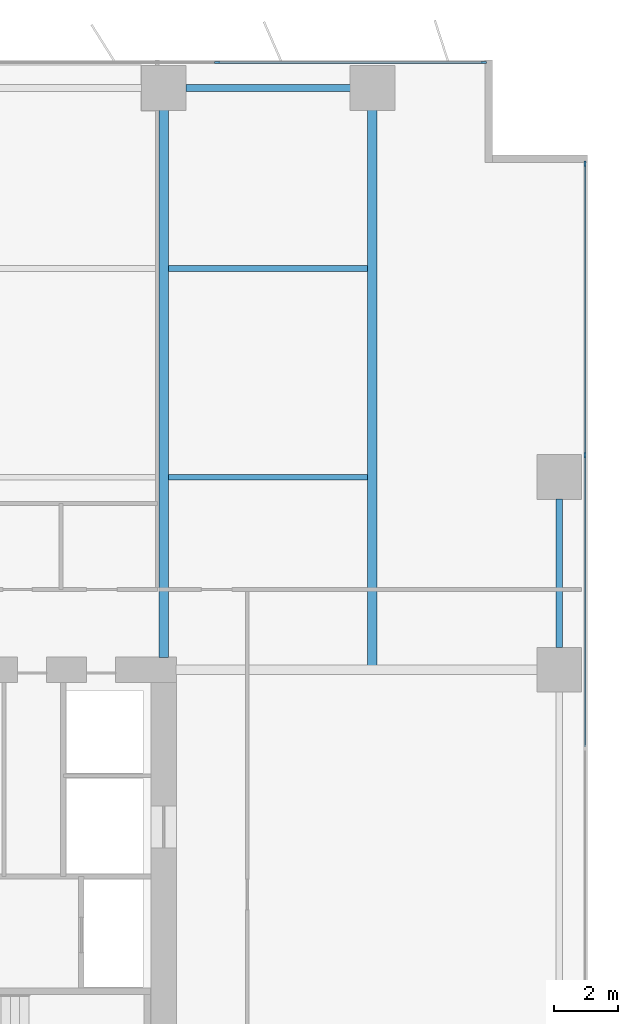
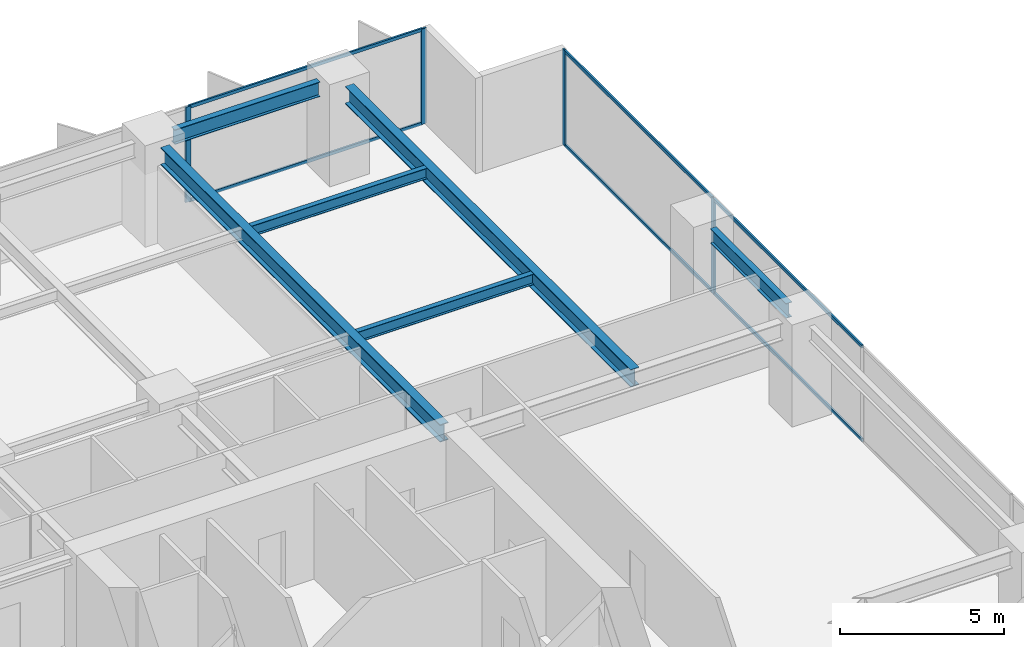
# One storey, part 11 of 20: 10 members, 6 beams, 2 elements without a shape of their own.
"""IFC4 building model written with IfcOpenShell, lengths in metres."""

from ifc_helpers import new_model, si_unit, direction, frame, origin, origin_2d, place, context, subcontext, project, spatial, rectangle, i_section, extrude, material, layer, layer_set, material_profile, profile_set, type_object, element, aggregate, save


model = new_model("IFC4")

# Units and contexts
model_context = context("Model", 3, precision=1e-05, world=origin(), true_north=direction((0.0, 1.0)))
body_context = subcontext(model_context, "Body", "Model", "MODEL_VIEW")
ifc_project = project(units=[si_unit("LENGTHUNIT", "METRE"), si_unit("AREAUNIT", "SQUARE_METRE"), si_unit("VOLUMEUNIT", "CUBIC_METRE"), si_unit("PLANEANGLEUNIT", "RADIAN"), si_unit("MASSUNIT", "GRAM", prefix="KILO")], contexts=[model_context])

# Site, building, storey
site_placement = place(None, origin())
site = spatial("IfcSite", under=ifc_project, at=site_placement, CompositionType="ELEMENT")
building_placement = place(site_placement, origin())
building = spatial("IfcBuilding", under=site, at=building_placement, Name="Putna Gate Headquarters", CompositionType="ELEMENT")
storey_placement = place(building_placement, frame((0.0, 0.0, 50.60009765625)))
storey = spatial("IfcBuildingStorey", under=building, at=storey_placement, Name="L11", CompositionType="ELEMENT", Elevation=50.60009765625)

# Beams
ifc_material_1 = material(Name="Steel S355J2", Category="steel")
ifc_material_profile_1 = material_profile(ifc_material_1, i_section(OverallWidth=0.300048828125, OverallDepth=0.64990234375, WebThickness=0.01611328125, FlangeThickness=0.031005859375, at=origin_2d()), Name="Steel S355J2")
ifc_profile_set_1 = profile_set([ifc_material_profile_1], Name="Steel S355J2")
beam_type_1 = type_object("IfcBeamType", Name="BM-GIRD-Z1-HEB650", PredefinedType="USERDEFINED", material=ifc_profile_set_1)
beam_1_placement = place(storey_placement, frame((65.0, 33.385009765625, 3.224853515625), z_axis=(0.0, 1.0, 0.0), x_axis=(-1.0, 0.0, 0.0)))
element("IfcBeam", 1, at=beam_1_placement, inside=storey, type_object=beam_type_1, Name="L11 North Primary Girder X65", ObjectType="GIRDER", PredefinedType="USERDEFINED", context=body_context, shape_type="SweptSolid", body=[
    extrude(i_section(OverallWidth=0.300048828125, OverallDepth=0.64990234375, WebThickness=0.01611328125, FlangeThickness=0.031005859375, at=origin_2d()), origin(), (0.0, 0.0, 1.0), 17.046875),
])
beam_2_placement = place(storey_placement, frame((71.5, 33.011962890625, 3.224853515625), z_axis=(0.0, 1.0, 0.0), x_axis=(-1.0, 0.0, 0.0)))
element("IfcBeam", 2, at=beam_2_placement, inside=storey, type_object=beam_type_1, Name="L11 North Primary Girder X71", ObjectType="GIRDER", PredefinedType="USERDEFINED", context=body_context, shape_type="SweptSolid", body=[
    extrude(i_section(OverallWidth=0.300048828125, OverallDepth=0.64990234375, WebThickness=0.01611328125, FlangeThickness=0.031005859375, at=origin_2d()), origin(), (0.0, 0.0, 1.0), 17.419921875),
])
ifc_material_profile_2 = material_profile(ifc_material_1, i_section(OverallWidth=0.179931640625, OverallDepth=0.39990234375, WebThickness=0.008544921875, FlangeThickness=0.013427734375, at=origin_2d()), Name="Steel S355J2")
ifc_profile_set_2 = profile_set([ifc_material_profile_2], Name="Steel S355J2")
beam_type_2 = type_object("IfcBeamType", Name="BM-SEC-Z1-IPE400", PredefinedType="BEAM", material=ifc_profile_set_2)
for number, where, z_axis, x_axis, name in (
    (3, (65.154052734375, 39.0, 3.349853515625), (1.0, 0.0, 0.0), (0.0, 1.0, 0.0), "L11 North Secondary Beam 10"),
    (4, (65.154052734375, 45.5, 3.349853515625), (1.0, 0.0, 0.0), (0.0, 1.0, 0.0), "L11 North Secondary Beam 10"),
):
    element("IfcBeam", number, at=place(storey_placement, frame(where, z_axis=z_axis, x_axis=x_axis)), inside=storey, type_object=beam_type_2, Name=name, PredefinedType="BEAM", context=body_context, shape_type="SweptSolid", body=[
        extrude(i_section(OverallWidth=0.179931640625, OverallDepth=0.39990234375, WebThickness=0.008544921875, FlangeThickness=0.013427734375, at=origin_2d()), origin(), (0.0, 0.0, 1.0), 6.19189453125),
    ])
ifc_material_profile_3 = material_profile(ifc_material_1, i_section(OverallWidth=0.2099609375, OverallDepth=0.550048828125, WebThickness=0.010986328125, FlangeThickness=0.01708984375, at=origin_2d()), Name="Steel S355J2")
ifc_profile_set_3 = profile_set([ifc_material_profile_3], Name="Steel S355J2")
beam_type_3 = type_object("IfcBeamType", Name="BM-SPAN-Z1-IPE550", PredefinedType="SPANDREL", material=ifc_profile_set_3)
beam_3_placement = place(storey_placement, frame((65.68798828125, 51.1201171875, 3.27490234375), z_axis=(1.0, 0.0, 0.0), x_axis=(0.0, 1.0, 0.0)))
element("IfcBeam", 5, at=beam_3_placement, inside=storey, type_object=beam_type_3, Name="L11 N Perimeter Spandrel 10", PredefinedType="SPANDREL", context=body_context, shape_type="SweptSolid", body=[
    extrude(i_section(OverallWidth=0.2099609375, OverallDepth=0.550048828125, WebThickness=0.010986328125, FlangeThickness=0.01708984375, at=origin_2d()), origin(), (0.0, 0.0, 1.0), 5.1240234375),
])
beam_4_placement = place(storey_placement, frame((77.320068359375, 33.68798828125, 3.27490234375), z_axis=(0.0, 1.0, 0.0), x_axis=(-1.0, 0.0, 0.0)))
element("IfcBeam", 6, at=beam_4_placement, inside=storey, type_object=beam_type_3, Name="L11 E End Spandrel 3", PredefinedType="SPANDREL", context=body_context, shape_type="SweptSolid", body=[
    extrude(i_section(OverallWidth=0.2099609375, OverallDepth=0.550048828125, WebThickness=0.010986328125, FlangeThickness=0.01708984375, at=origin_2d()), origin(), (0.0, 0.0, 1.0), 4.6240234375),
])

# Curtain wall, members
ifc_material_2 = material(Name="Anodised bronze aluminium curtain wall", Category="aluminium")
ifc_layer = layer(ifc_material_2, 0.179931640625)
ifc_layer_set = layer_set([ifc_layer], Name="Anodised bronze aluminium curtain wall")
curtain_wall_type = type_object("IfcCurtainWallType", Name="CW-SYS-Z1", PredefinedType="USERDEFINED", material=ifc_layer_set)
curtain_wall_1_placement = place(storey_placement, origin())
curtain_wall_1 = element("IfcCurtainWall", 7, at=curtain_wall_1_placement, inside=storey, type_object=curtain_wall_type, Name="L11 North East Curtain Wall", ObjectType="STICK CURTAIN WALL", PredefinedType="USERDEFINED")
ifc_material_3 = material(Name="Anodised bronze aluminium EN AW-6060", Category="aluminium")
ifc_material_profile_4 = material_profile(ifc_material_3, rectangle(XDim=0.070068359375, YDim=0.179931640625, at=origin_2d()), Name="Anodised bronze aluminium EN AW-6060")
ifc_profile_set_4 = profile_set([ifc_material_profile_4], Name="Anodised bronze aluminium EN AW-6060")
member_type_1 = type_object("IfcMemberType", Name="MULL-CWM-1", PredefinedType="MULLION", material=ifc_profile_set_4)
member_1_placement = place(storey_placement, frame((66.666748046875, 51.919921875, 0.0), z_axis=(0.0, 0.0, 1.0), x_axis=(0.0, 1.0, 0.0)))
member_1 = element("IfcMember", 8, at=member_1_placement, type_object=member_type_1, Name="CWS-1 mullion 3", PredefinedType="MULLION", context=body_context, shape_type="SweptSolid", body=[
    extrude(rectangle(XDim=0.070068359375, YDim=0.179931640625, at=origin_2d()), origin(), (0.0, 0.0, 1.0), 3.5498046875),
])
member_2_placement = place(storey_placement, frame((74.965087890625, 51.919921875, 0.0), z_axis=(0.0, 0.0, 1.0), x_axis=(0.0, 1.0, 0.0)))
member_2 = element("IfcMember", 9, at=member_2_placement, type_object=member_type_1, Name="CWS-1 mullion 4", PredefinedType="MULLION", context=body_context, shape_type="SweptSolid", body=[
    extrude(rectangle(XDim=0.070068359375, YDim=0.179931640625, at=origin_2d()), origin(), (0.0, 0.0, 1.0), 3.5498046875),
])

curtain_wall_2_placement = place(storey_placement, origin())
curtain_wall_2 = element("IfcCurtainWall", 10, at=curtain_wall_2_placement, inside=storey, type_object=curtain_wall_type, Name="L11 East Curtain Wall", ObjectType="STICK CURTAIN WALL", PredefinedType="USERDEFINED")
member_3_placement = place(storey_placement, frame((78.1201171875, 39.679931640625, 0.0), z_axis=(0.0, 0.0, 1.0), x_axis=(-1.0, 0.0, 0.0)))
member_3 = element("IfcMember", 11, at=member_3_placement, type_object=member_type_1, Name="CWS-1 mullion 5", PredefinedType="MULLION", context=body_context, shape_type="SweptSolid", body=[
    extrude(rectangle(XDim=0.070068359375, YDim=0.179931640625, at=origin_2d()), origin(), (0.0, 0.0, 1.0), 3.5498046875),
])
member_4_placement = place(storey_placement, frame((78.1201171875, 48.764892578125, 0.0), z_axis=(0.0, 0.0, 1.0), x_axis=(-1.0, 0.0, 0.0)))
member_4 = element("IfcMember", 12, at=member_4_placement, type_object=member_type_1, Name="CWS-1 mullion 6", PredefinedType="MULLION", context=body_context, shape_type="SweptSolid", body=[
    extrude(rectangle(XDim=0.070068359375, YDim=0.179931640625, at=origin_2d()), origin(), (0.0, 0.0, 1.0), 3.5498046875),
])

# Member
ifc_material_profile_5 = material_profile(ifc_material_3, rectangle(XDim=0.06494140625, YDim=0.1201171875, at=origin_2d()), Name="Anodised bronze aluminium EN AW-6060")
ifc_profile_set_5 = profile_set([ifc_material_profile_5], Name="Anodised bronze aluminium EN AW-6060")
member_type_2 = type_object("IfcMemberType", Name="TRAN-CWT-1", PredefinedType="USERDEFINED", material=ifc_profile_set_5)
member_5_placement = place(storey_placement, frame((66.70166015625, 51.919921875, 0.032470703125), z_axis=(1.0, 0.0, 0.0), x_axis=(0.0, 1.0, 0.0)))
member_5 = element("IfcMember", 13, at=member_5_placement, type_object=member_type_2, Name="CWS-1 transom 3.1", ObjectType="TRANSOM", PredefinedType="USERDEFINED", context=body_context, shape_type="SweptSolid", body=[
    extrude(rectangle(XDim=0.06494140625, YDim=0.1201171875, at=origin_2d()), origin(), (0.0, 0.0, 1.0), 8.228271484375),
])

member_6_placement = place(storey_placement, frame((66.70166015625, 51.919921875, 3.517333984375), z_axis=(1.0, 0.0, 0.0), x_axis=(0.0, 1.0, 0.0)))
member_6 = element("IfcMember", 14, at=member_6_placement, type_object=member_type_2, Name="CWS-1 transom 3.2", ObjectType="TRANSOM", PredefinedType="USERDEFINED", context=body_context, shape_type="SweptSolid", body=[
    extrude(rectangle(XDim=0.06494140625, YDim=0.1201171875, at=origin_2d()), origin(), (0.0, 0.0, 1.0), 8.228271484375),
])

aggregate(curtain_wall_1, [member_1, member_2, member_5, member_6])

member_7_placement = place(storey_placement, frame((78.1201171875, 30.594970703125, 0.032470703125), z_axis=(0.0, 1.0, 0.0), x_axis=(-1.0, 0.0, 0.0)))
member_7 = element("IfcMember", 15, at=member_7_placement, type_object=member_type_2, Name="CWS-1 transom 4.1", ObjectType="TRANSOM", PredefinedType="USERDEFINED", context=body_context, shape_type="SweptSolid", body=[
    extrude(rectangle(XDim=0.06494140625, YDim=0.1201171875, at=origin_2d()), origin(), (0.0, 0.0, 1.0), 9.050048828125),
])

member_8_placement = place(storey_placement, frame((78.1201171875, 30.594970703125, 3.517333984375), z_axis=(0.0, 1.0, 0.0), x_axis=(-1.0, 0.0, 0.0)))
member_8 = element("IfcMember", 16, at=member_8_placement, type_object=member_type_2, Name="CWS-1 transom 4.2", ObjectType="TRANSOM", PredefinedType="USERDEFINED", context=body_context, shape_type="SweptSolid", body=[
    extrude(rectangle(XDim=0.06494140625, YDim=0.1201171875, at=origin_2d()), origin(), (0.0, 0.0, 1.0), 9.050048828125),
])

member_9_placement = place(storey_placement, frame((78.1201171875, 39.715087890625, 0.032470703125), z_axis=(0.0, 1.0, 0.0), x_axis=(-1.0, 0.0, 0.0)))
member_9 = element("IfcMember", 17, at=member_9_placement, type_object=member_type_2, Name="CWS-1 transom 5.1", ObjectType="TRANSOM", PredefinedType="USERDEFINED", context=body_context, shape_type="SweptSolid", body=[
    extrude(rectangle(XDim=0.06494140625, YDim=0.1201171875, at=origin_2d()), origin(), (0.0, 0.0, 1.0), 9.014892578125),
])

member_10_placement = place(storey_placement, frame((78.1201171875, 39.715087890625, 3.517333984375), z_axis=(0.0, 1.0, 0.0), x_axis=(-1.0, 0.0, 0.0)))
member_10 = element("IfcMember", 18, at=member_10_placement, type_object=member_type_2, Name="CWS-1 transom 5.2", ObjectType="TRANSOM", PredefinedType="USERDEFINED", context=body_context, shape_type="SweptSolid", body=[
    extrude(rectangle(XDim=0.06494140625, YDim=0.1201171875, at=origin_2d()), origin(), (0.0, 0.0, 1.0), 9.014892578125),
])

aggregate(curtain_wall_2, [member_3, member_4, member_7, member_8, member_9, member_10])

save(model, "model.ifc")
